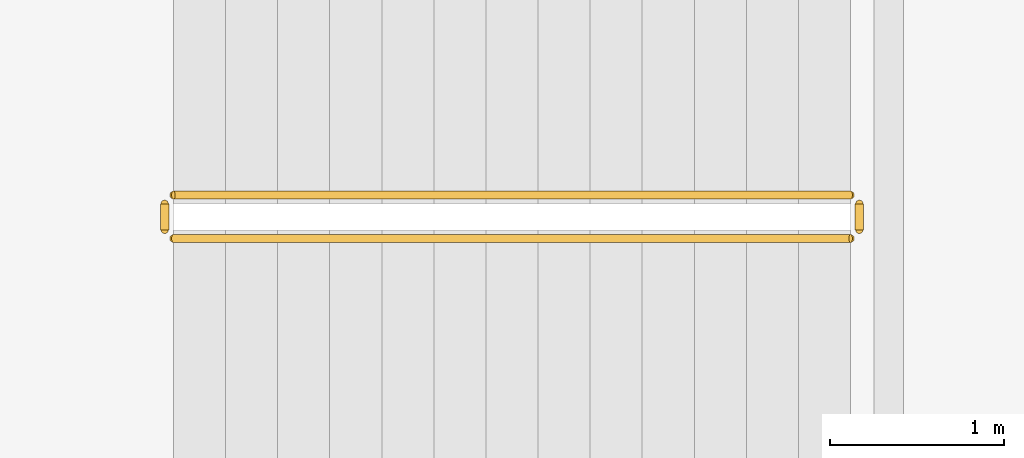
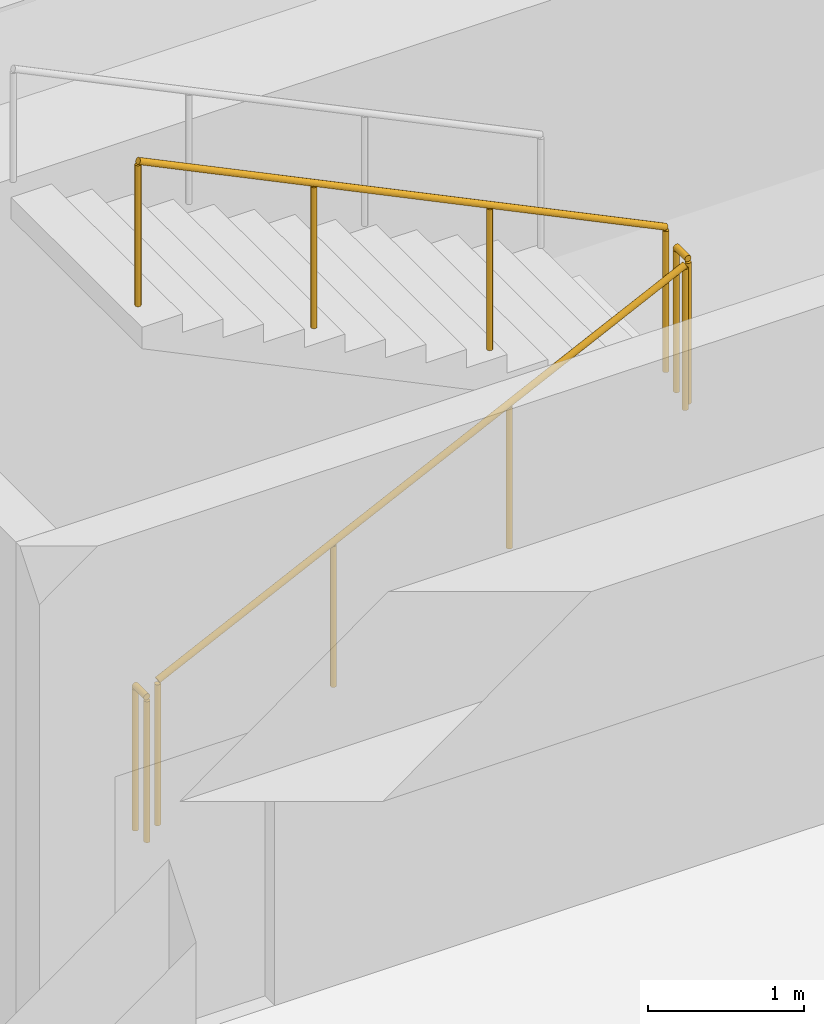
# One storey, part 34 of 35: 4 railings.
"""IFC4 building model written with IfcOpenShell, lengths in metres."""

from ifc_helpers import new_model, si_unit, direction, frame, origin, origin_2d, place, context, subcontext, project, spatial, circle, extrude, material, type_object, element, save


model = new_model("IFC4")

# Units and contexts
model_context = context("Model", 3, precision=1e-05, world=origin(), true_north=direction((0.0, 1.0)))
body_context = subcontext(model_context, "Body", "Model", "MODEL_VIEW")
ifc_project = project(units=[si_unit("LENGTHUNIT", "METRE"), si_unit("AREAUNIT", "SQUARE_METRE"), si_unit("VOLUMEUNIT", "CUBIC_METRE"), si_unit("PLANEANGLEUNIT", "RADIAN"), si_unit("MASSUNIT", "GRAM", prefix="KILO")], contexts=[model_context])

# Site, building, storey
site_placement = place(None, origin())
site = spatial("IfcSite", under=ifc_project, at=site_placement, CompositionType="ELEMENT")
building_placement = place(site_placement, origin())
building = spatial("IfcBuilding", under=site, at=building_placement, Name="Punatoya Terracotta Tower", CompositionType="ELEMENT")
storey_placement = place(building_placement, frame((0.0, 0.0, 72.75)))
storey = spatial("IfcBuildingStorey", under=building, at=storey_placement, Name="L16", CompositionType="ELEMENT", Elevation=72.75)

# Railings
ifc_material = material(Name="Steel S355", Category="steel")
railing_type = type_object("IfcRailingType", Name="RLG-GRD-1150", PredefinedType="GUARDRAIL", material=ifc_material)
railing_1_placement = place(storey_placement, frame((-2.89990234375, 6.949951171875, 0.14453125)))
element("IfcRailing", 1, at=railing_1_placement, inside=storey, type_object=railing_type, Name="L16 ST-3 stair guard 1", PredefinedType="GUARDRAIL", context=body_context, shape_type="SweptSolid", body=[
    extrude(circle(Radius=0.02392578125, at=origin_2d()), frame((0.0, 0.0, 1.1259765625), z_axis=(0.900763166376, 0.0, 0.434310623978), x_axis=(0.0, 1.0, 0.0)), (0.0, 0.0, 1.0), 4.32958984375),
    extrude(circle(Radius=0.02099609375, at=origin_2d()), origin(), (0.0, 0.0, 1.0), 1.101806640625),
    extrude(circle(Radius=0.02099609375, at=origin_2d()), frame((1.300048828125, 0.0, 0.626708984375)), (0.0, 0.0, 1.0), 1.101806640625),
    extrude(circle(Radius=0.02099609375, at=origin_2d()), frame((2.599853515625, 0.0, 1.253662109375)), (0.0, 0.0, 1.0), 1.101806640625),
    extrude(circle(Radius=0.02099609375, at=origin_2d()), frame((3.89990234375, 0.0, 1.88037109375)), (0.0, 0.0, 1.0), 1.101806640625),
])
railing_2_placement = place(storey_placement, frame((1.050048828125, 7.0, 2.02490234375)))
element("IfcRailing", 2, at=railing_2_placement, inside=storey, type_object=railing_type, Name="L16 ST-3 stair guard 2", PredefinedType="GUARDRAIL", context=body_context, shape_type="SweptSolid", body=[
    extrude(circle(Radius=0.02392578125, at=origin_2d()), frame((0.0, 0.0, 1.1259765625), z_axis=(0.0, 1.0, 0.0), x_axis=(-1.0, 0.0, 0.0)), (0.0, 0.0, 1.0), 0.14990234375),
    extrude(circle(Radius=0.02099609375, at=origin_2d()), origin(), (0.0, 0.0, 1.0), 1.101806640625),
    extrude(circle(Radius=0.02099609375, at=origin_2d()), frame((0.0, 0.14990234375, 0.0)), (0.0, 0.0, 1.0), 1.101806640625),
])
railing_3_placement = place(storey_placement, frame((1.0, 7.199951171875, 2.169677734375)))
element("IfcRailing", 3, at=railing_3_placement, inside=storey, type_object=railing_type, Name="L16 ST-3 stair guard 3", PredefinedType="GUARDRAIL", context=body_context, shape_type="SweptSolid", body=[
    extrude(circle(Radius=0.02392578125, at=origin_2d()), frame((0.0, 0.0, 1.1259765625), z_axis=(-0.900763166376, 0.0, 0.434310623978), x_axis=(0.0, -1.0, 0.0)), (0.0, 0.0, 1.0), 4.32958984375),
    extrude(circle(Radius=0.02099609375, at=origin_2d()), origin(), (0.0, 0.0, 1.0), 1.101806640625),
    extrude(circle(Radius=0.02099609375, at=origin_2d()), frame((-1.300048828125, 0.0, 0.626708984375)), (0.0, 0.0, 1.0), 1.101806640625),
    extrude(circle(Radius=0.02099609375, at=origin_2d()), frame((-2.599853515625, 0.0, 1.253662109375)), (0.0, 0.0, 1.0), 1.101806640625),
    extrude(circle(Radius=0.02099609375, at=origin_2d()), frame((-3.89990234375, 0.0, 1.88037109375)), (0.0, 0.0, 1.0), 1.101806640625),
])
railing_4_placement = place(storey_placement, frame((-2.949951171875, 7.0, 0.0)))
element("IfcRailing", 4, at=railing_4_placement, inside=storey, type_object=railing_type, Name="L16 ST-3 stair guard 4", PredefinedType="GUARDRAIL", context=body_context, shape_type="SweptSolid", body=[
    extrude(circle(Radius=0.02392578125, at=origin_2d()), frame((0.0, 0.0, 1.1259765625), z_axis=(0.0, 1.0, 0.0), x_axis=(-1.0, 0.0, 0.0)), (0.0, 0.0, 1.0), 0.14990234375),
    extrude(circle(Radius=0.02099609375, at=origin_2d()), origin(), (0.0, 0.0, 1.0), 1.101806640625),
    extrude(circle(Radius=0.02099609375, at=origin_2d()), frame((0.0, 0.14990234375, 0.0)), (0.0, 0.0, 1.0), 1.101806640625),
])

save(model, "model.ifc")
